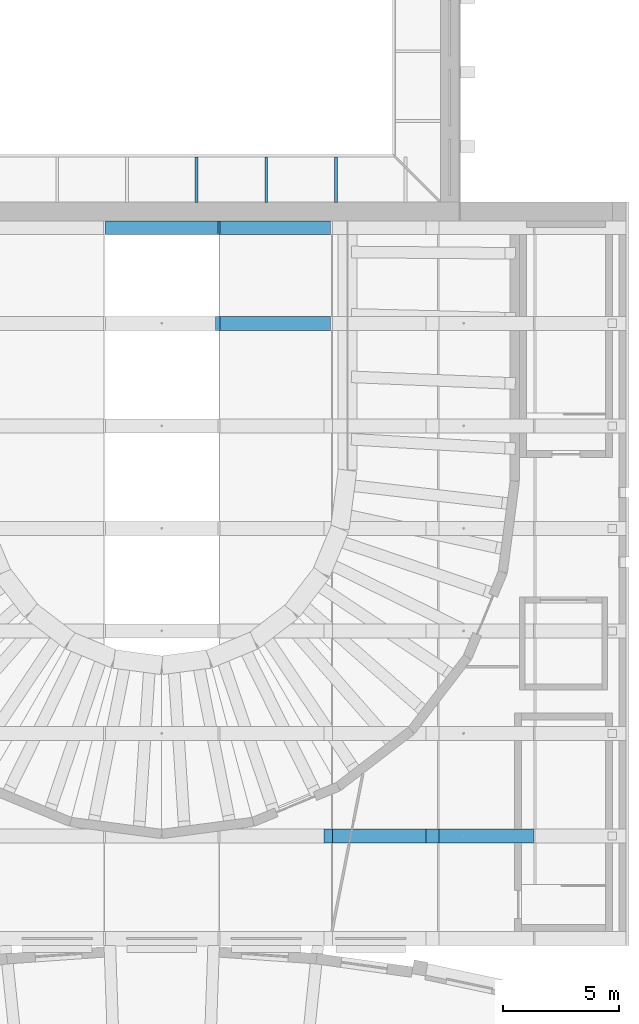
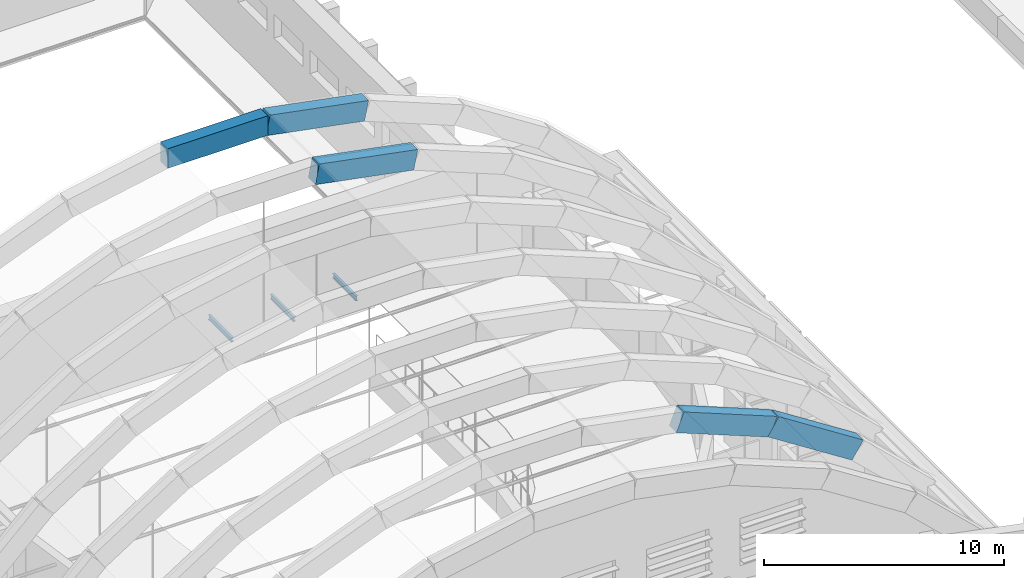
# One storey, part 34 of 94: 5 beams, 3 members.
"""IFC4 building model written with IfcOpenShell, lengths in metres."""

import ifcopenshell
import ifcopenshell.guid

model = None  # the IFC model being written
_history = None  # IfcOwnerHistory: only IFC2X3 demands one
_inside = {}  # id of a spatial element -> (the spatial element, [elements in it])
_under = {}  # id of a project, library or spatial element -> (it, [spatial elements below it])
_declared = {}  # id of a project -> (the project, [libraries it declares])
_typed = {}  # id of a type object -> (the type object, [elements of that type])
_made_of = {}  # id of a material, layer set ... -> (it, [elements and type objects made of it])


def new_model(schema):
    """Start an empty IFC model of exactly this schema.

    Asked for "IFC4X3", IfcOpenShell would pick the latest addendum, in which some entities
    have other attributes; the version numbers below select the first issue.
    IFC2X3 requires an IfcOwnerHistory on every rooted entity: one is made here for all.
    """
    global model, _history
    if schema == "IFC4X3":
        model = ifcopenshell.file(schema_version=(4, 3, 0, 0))
    else:
        model = ifcopenshell.file(schema=schema)
    _inside.clear()
    _under.clear()
    _declared.clear()
    _typed.clear()
    _made_of.clear()
    _history = None
    if model.schema == "IFC2X3":
        org = make("IfcOrganization", Name="unknown")
        user = make(
            "IfcPersonAndOrganization",
            ThePerson=make("IfcPerson", FamilyName="unknown"),
            TheOrganization=org,
        )
        app = make(
            "IfcApplication",
            ApplicationDeveloper=org,
            Version="unknown",
            ApplicationFullName="unknown",
            ApplicationIdentifier="unknown",
        )
        _history = make(
            "IfcOwnerHistory",
            OwningUser=user,
            OwningApplication=app,
            ChangeAction="ADDED",
            CreationDate=0,
        )
    return model


def make(cls, **values):
    """One entity of the class cls with the attributes given. An attribute that is None is left unset."""
    return model.create_entity(
        cls, **{name: value for name, value in values.items() if value is not None}
    )


def rooted(cls, **values):
    """An entity with a GlobalId (a new one), such as an element, a storey or a relation."""
    return make(cls, GlobalId=ifcopenshell.guid.new(), OwnerHistory=_history, **values)


def si_unit(unit_type, name, prefix=None):
    """IfcSIUnit, for example si_unit("LENGTHUNIT", "METRE", prefix="MILLI")."""
    return make("IfcSIUnit", UnitType=unit_type, Prefix=prefix, Name=name)


def assignment(units):
    """IfcUnitAssignment: the units of a project."""
    return None if units is None else make("IfcUnitAssignment", Units=units)


def point(xyz):
    """IfcCartesianPoint."""
    return None if xyz is None else make("IfcCartesianPoint", Coordinates=xyz)


def direction(xyz):
    """IfcDirection."""
    return None if xyz is None else make("IfcDirection", DirectionRatios=xyz)


def frame(location, z_axis=None, x_axis=None):
    """IfcAxis2Placement3D, a coordinate frame: its origin and axes. An axis left out is left unset."""
    return make(
        "IfcAxis2Placement3D",
        Location=point(location),
        Axis=direction(z_axis),
        RefDirection=direction(x_axis),
    )


def frame_2d(location, x_axis=None):
    """IfcAxis2Placement2D, a coordinate frame in the plane: its origin and x axis."""
    return make(
        "IfcAxis2Placement2D", Location=point(location), RefDirection=direction(x_axis)
    )


def origin():
    """The frame at (0, 0, 0) with its axes left unset."""
    return frame((0.0, 0.0, 0.0))


def origin_2d():
    """The frame at (0, 0) in the plane with its x axis left unset."""
    return frame_2d((0.0, 0.0))


def place(relative_to, where):
    """IfcLocalPlacement: puts the frame where relative to a parent placement (None: the world)."""
    return make(
        "IfcLocalPlacement", PlacementRelTo=relative_to, RelativePlacement=where
    )


def context(
    kind, dimensions, precision=None, world=None, true_north=None, identifier=None
):
    """IfcGeometricRepresentationContext, for example the 3D "Model" context."""
    return make(
        "IfcGeometricRepresentationContext",
        ContextIdentifier=identifier,
        ContextType=kind,
        CoordinateSpaceDimension=dimensions,
        Precision=precision,
        WorldCoordinateSystem=world,
        TrueNorth=true_north,
    )


def subcontext(parent, identifier, kind, view, scale=None):
    """IfcGeometricRepresentationSubContext, for example "Body" below "Model"."""
    return make(
        "IfcGeometricRepresentationSubContext",
        ContextIdentifier=identifier,
        ContextType=kind,
        ParentContext=parent,
        TargetScale=scale,
        TargetView=view,
    )


def project(units=None, contexts=None):
    """IfcProject with its units and contexts."""
    return rooted(
        "IfcProject",
        Name="project",
        RepresentationContexts=contexts,
        UnitsInContext=assignment(units),
    )


def spatial(cls, under=None, at=None, **own):
    """A site, building, storey or space (cls), placed at a placement, below another one or the project."""
    s = rooted(cls, ObjectPlacement=at, **own)
    if under is not None:
        _under.setdefault(under.id(), (under, []))[1].append(s)
    return s


def profile(cls, at=None, kind="AREA", **sizes):
    """A parametric profile (cls). Its sizes go by their IFC names, for example OverallWidth=200.0."""
    return make(cls, ProfileType=kind, Position=at, **sizes)


def rectangle(**sizes):
    """IfcRectangleProfileDef."""
    return profile("IfcRectangleProfileDef", **sizes)


def i_section(**sizes):
    """IfcIShapeProfileDef."""
    return profile("IfcIShapeProfileDef", **sizes)


def extrude(swept, where, along, depth):
    """IfcExtrudedAreaSolid: the profile swept, set in the frame where, extruded along a direction by depth."""
    return make(
        "IfcExtrudedAreaSolid",
        SweptArea=swept,
        Position=where,
        ExtrudedDirection=direction(along),
        Depth=depth,
    )


def shape(context_of_items, identifier, shape_type, items):
    """IfcShapeRepresentation: the items that make up one representation, for example the "Body"."""
    return make(
        "IfcShapeRepresentation",
        ContextOfItems=context_of_items,
        RepresentationIdentifier=identifier,
        RepresentationType=shape_type,
        Items=items,
    )


def material(Name=None, Category=None):
    """IfcMaterial."""
    return make("IfcMaterial", Name=Name, Category=Category)


def material_profile(
    of_material, cross_section, Name=None, Category=None, Priority=None
):
    """IfcMaterialProfile: a cross section and its material."""
    return make(
        "IfcMaterialProfile",
        Name=Name,
        Material=of_material,
        Profile=cross_section,
        Priority=Priority,
        Category=Category,
    )


def profile_set(profiles, Name=None, composite=None):
    """IfcMaterialProfileSet."""
    return make(
        "IfcMaterialProfileSet",
        Name=Name,
        MaterialProfiles=profiles,
        CompositeProfile=composite,
    )


def made_of(thing, what):
    """Note that an element or type object is made of a material, layer set ...; save() writes the relation."""
    if what is not None:
        _made_of.setdefault(what.id(), (what, []))[1].append(thing)
    return thing


def type_object(cls, material=None, **own):
    """A type object (cls), such as IfcWallType, which elements share."""
    return made_of(rooted(cls, **own), material)


def element(
    cls,
    number,
    at=None,
    inside=None,
    cuts=None,
    type_object=None,
    material=None,
    context=None,
    identifier="Body",
    shape_type=None,
    held_by="IfcProductDefinitionShape",
    body=None,
    shapes=None,
    **own,
):
    """One element of the class cls, such as IfcWall. Its Tag is "e" and its number.

    at: its placement. inside: the storey or other place that contains it. cuts: it is an
    opening in that element (IfcRelVoidsElement). A single representation is given by context,
    identifier, shape_type and body (its items); several are given by shapes. held_by: the class
    of the entity that holds the representations. save() writes the other relations.
    """
    e = rooted(cls, Tag="e%d" % number, ObjectPlacement=at, **own)
    if body is not None:
        shapes = [shape(context, identifier, shape_type, body)]
    if shapes is not None:
        e.Representation = make(held_by, Representations=shapes)
    if inside is not None:
        _inside.setdefault(inside.id(), (inside, []))[1].append(e)
    if cuts is not None:
        rooted(
            "IfcRelVoidsElement", RelatingBuildingElement=cuts, RelatedOpeningElement=e
        )
    if type_object is not None:
        _typed.setdefault(type_object.id(), (type_object, []))[1].append(e)
    return made_of(e, material)


def aggregate(whole, parts):
    """IfcRelAggregates: a whole, such as a stair, and the parts it consists of."""
    return rooted("IfcRelAggregates", RelatingObject=whole, RelatedObjects=parts)


def save(model, path):
    """Write the relations noted so far, then the file.

    IfcRelAggregates (storeys below a building ...), IfcRelContainedInSpatialStructure (elements
    in a storey), IfcRelDefinesByType, IfcRelAssociatesMaterial and IfcRelDeclares: one each for
    every whole, place, type object, material and project.
    """
    for whole, parts in _under.values():
        aggregate(whole, parts)
    for where, things in _inside.values():
        rooted(
            "IfcRelContainedInSpatialStructure",
            RelatedElements=things,
            RelatingStructure=where,
        )
    for kind, things in _typed.values():
        rooted("IfcRelDefinesByType", RelatedObjects=things, RelatingType=kind)
    for what, things in _made_of.values():
        rooted("IfcRelAssociatesMaterial", RelatedObjects=things, RelatingMaterial=what)
    for by, libraries in _declared.values():
        rooted("IfcRelDeclares", RelatingContext=by, RelatedDefinitions=libraries)
    model.write(path)


model = new_model("IFC4")

# Units and contexts
model_context = context("Model", 3, precision=1e-05, world=origin(), true_north=direction((0.0, 1.0)))
body_context = subcontext(model_context, "Body", "Model", "MODEL_VIEW")
ifc_project = project(units=[si_unit("LENGTHUNIT", "METRE"), si_unit("AREAUNIT", "SQUARE_METRE"), si_unit("VOLUMEUNIT", "CUBIC_METRE"), si_unit("PLANEANGLEUNIT", "RADIAN"), si_unit("MASSUNIT", "GRAM", prefix="KILO")], contexts=[model_context])

# Site, building, storey
site_placement = place(None, origin())
site = spatial("IfcSite", under=ifc_project, at=site_placement, CompositionType="ELEMENT")
building_placement = place(site_placement, origin())
building = spatial("IfcBuilding", under=site, at=building_placement, Name="Lunette Opera House", CompositionType="ELEMENT")
storey_placement = place(building_placement, frame((0.0, 0.0, 22.5)))
storey = spatial("IfcBuildingStorey", under=building, at=storey_placement, Name="L04", CompositionType="ELEMENT", Elevation=22.5)

# Beams
ifc_material_1 = material(Name="Concrete C40/50", Category="concrete")
ifc_material_profile_1 = material_profile(ifc_material_1, rectangle(XDim=0.60009765625, YDim=1.0, at=origin_2d()), Name="ARCH BEAM 600X1000")
ifc_profile_set_1 = profile_set([ifc_material_profile_1], Name="Concrete C40/50")
beam_type = type_object("IfcBeamType", Name="ARCH BEAM 600X1000", PredefinedType="BEAM", material=ifc_profile_set_1)
beam_1_placement = place(storey_placement, frame((103.1689453125, 68.714111328125, 10.346923828125), z_axis=(0.92830257193, 0.0, -0.371825678172), x_axis=(0.0, 1.0, 0.0)))
element("IfcBeam", 1, at=beam_1_placement, inside=storey, type_object=beam_type, Name="beam-AU-L04-EA2-7", PredefinedType="BEAM", context=body_context, shape_type="SweptSolid", body=[
    extrude(rectangle(XDim=0.60009765625, YDim=1.0, at=origin_2d()), origin(), (0.0, 0.0, 1.0), 4.837890625),
])
beam_2_placement = place(storey_placement, frame((107.659912109375, 68.714111328125, 8.548095703125), z_axis=(0.84120306647, 0.0, -0.54071933659), x_axis=(0.0, 1.0, 0.0)))
element("IfcBeam", 2, at=beam_2_placement, inside=storey, type_object=beam_type, Name="beam-AU-L04-EA2-8", PredefinedType="BEAM", context=body_context, shape_type="SweptSolid", body=[
    extrude(rectangle(XDim=0.60009765625, YDim=1.0, at=origin_2d()), origin(), (0.0, 0.0, 1.0), 4.83837890625),
])
beam_3_placement = place(storey_placement, frame((98.4189453125, 90.785888671875, 11.262939453125), z_axis=(0.981908402453, 0.0, -0.189356513466), x_axis=(0.0, 1.0, 0.0)))
element("IfcBeam", 3, at=beam_3_placement, inside=storey, type_object=beam_type, Name="beam-AU-L04-EA7-6", PredefinedType="BEAM", context=body_context, shape_type="SweptSolid", body=[
    extrude(rectangle(XDim=0.60009765625, YDim=1.0, at=origin_2d()), origin(), (0.0, 0.0, 1.0), 4.83740234375),
])
beam_4_placement = place(storey_placement, frame((93.5810546875, 94.89990234375, 11.262939453125), z_axis=(1.0, 0.0, 0.0), x_axis=(0.0, 1.0, 0.0)))
element("IfcBeam", 4, at=beam_4_placement, inside=storey, type_object=beam_type, Name="beam-AU-L04-EA8-5", PredefinedType="BEAM", context=body_context, shape_type="SweptSolid", body=[
    extrude(rectangle(XDim=0.60009765625, YDim=1.0, at=origin_2d()), origin(), (0.0, 0.0, 1.0), 4.837890625),
])
beam_5_placement = place(storey_placement, frame((98.4189453125, 94.89990234375, 11.262939453125), z_axis=(0.981908402453, 0.0, -0.189356513466), x_axis=(0.0, 1.0, 0.0)))
element("IfcBeam", 5, at=beam_5_placement, inside=storey, type_object=beam_type, Name="beam-AU-L04-EA8-6", PredefinedType="BEAM", context=body_context, shape_type="SweptSolid", body=[
    extrude(rectangle(XDim=0.60009765625, YDim=1.0, at=origin_2d()), origin(), (0.0, 0.0, 1.0), 4.83740234375),
])

# Members
ifc_material_2 = material(Name="Steel S355", Category="steel")
ifc_material_profile_2 = material_profile(ifc_material_2, i_section(OverallWidth=0.1201171875, OverallDepth=0.239990234375, WebThickness=0.006103515625, FlangeThickness=0.009765625, FilletRadius=0.014892578125, at=origin_2d()), Name="IPE 240")
ifc_profile_set_2 = profile_set([ifc_material_profile_2], Name="Steel S355")
member_type = type_object("IfcMemberType", Name="BRACKET IPE 240", PredefinedType="MEMBER", material=ifc_profile_set_2)
for number, where, z_axis, x_axis, name in (
    (6, (97.5, 95.989990234375, -0.179931640625), (0.0, 1.0, 0.0), (-1.0, 0.0, 0.0), "mem-ST-L04-FG3-BKS975-959"),
    (7, (100.5, 95.989990234375, -0.179931640625), (0.0, 1.0, 0.0), (-1.0, 0.0, 0.0), "mem-ST-L04-FG3-BKS1005-959"),
    (8, (103.5, 95.989990234375, -0.179931640625), (0.0, 1.0, 0.0), (-1.0, 0.0, 0.0), "mem-ST-L04-FG3-BKS1035-959"),
):
    element("IfcMember", number, at=place(storey_placement, frame(where, z_axis=z_axis, x_axis=x_axis)), inside=storey, type_object=member_type, Name=name, PredefinedType="MEMBER", context=body_context, shape_type="SweptSolid", body=[
        extrude(i_section(OverallWidth=0.1201171875, OverallDepth=0.239990234375, WebThickness=0.006103515625, FlangeThickness=0.009765625, FilletRadius=0.014892578125, at=origin_2d()), origin(), (0.0, 0.0, 1.0), 1.949951171875),
    ])

save(model, "model.ifc")
